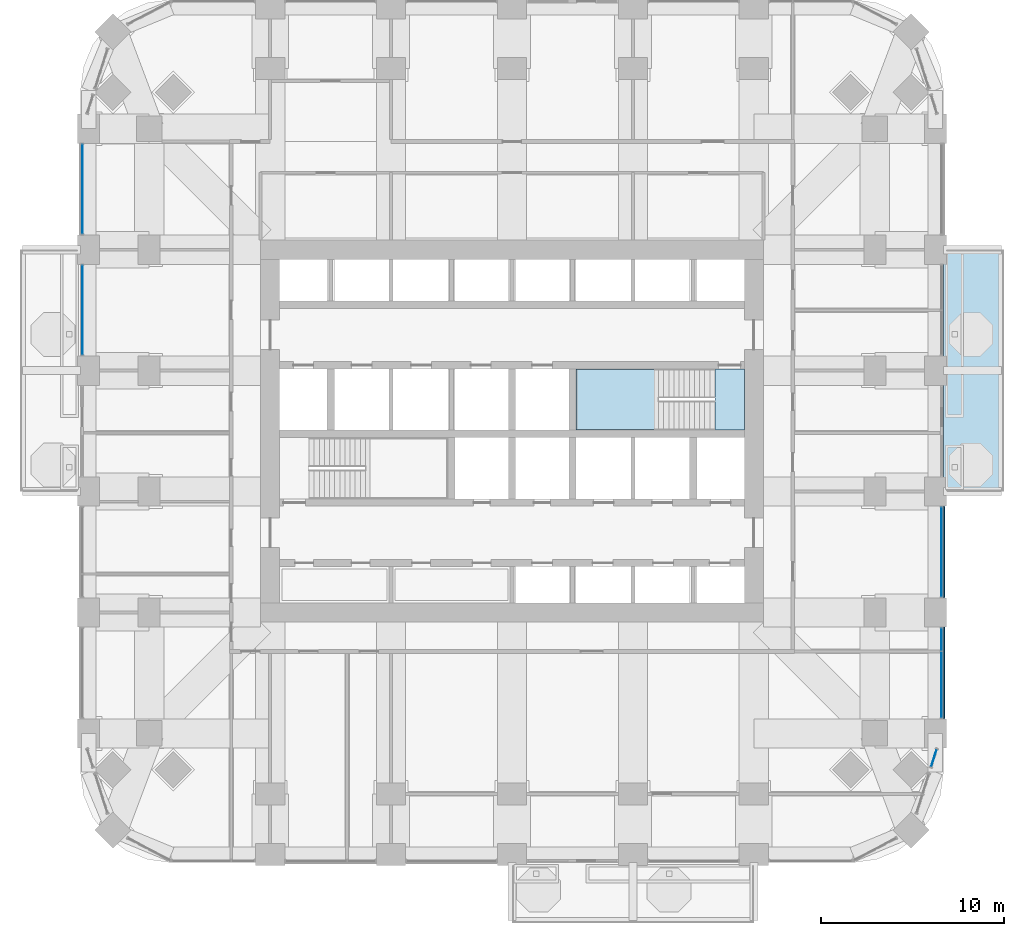
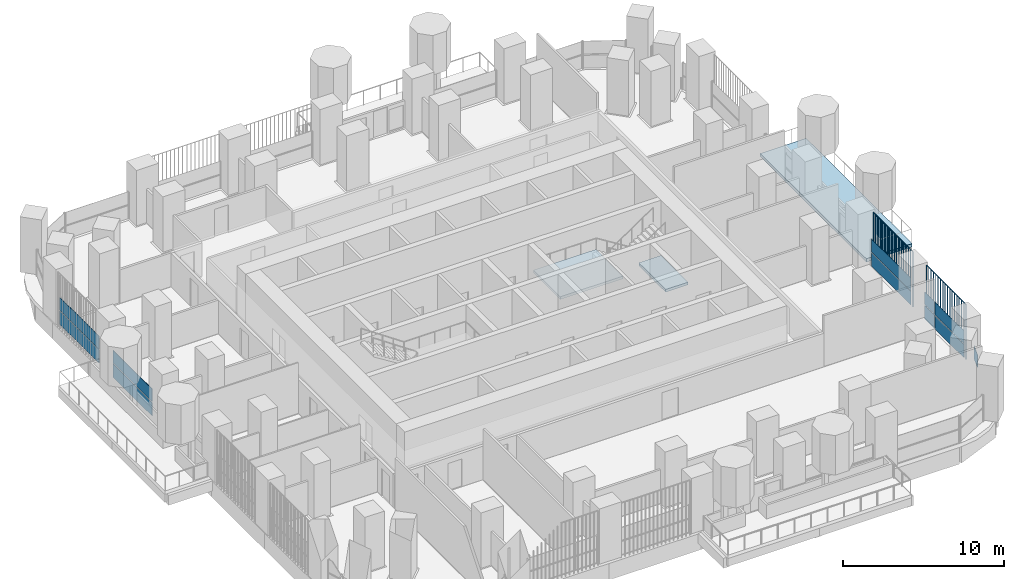
# One storey, part 11 of 22: 13 plates, 3 slabs, 6 elements without a shape of their own.
"""IFC4 building model written with IfcOpenShell, lengths in metres."""

from ifc_helpers import new_model, si_unit, direction, frame, origin, origin_2d, place, context, subcontext, project, spatial, polyline, rectangle, outline, extrude, material, layer, layer_set, type_object, element, aggregate, save


model = new_model("IFC4")

# Units and contexts
model_context = context("Model", 3, precision=1e-05, world=origin(), true_north=direction((0.0, 1.0)))
body_context = subcontext(model_context, "Body", "Model", "MODEL_VIEW")
ifc_project = project(units=[si_unit("LENGTHUNIT", "METRE"), si_unit("AREAUNIT", "SQUARE_METRE"), si_unit("VOLUMEUNIT", "CUBIC_METRE"), si_unit("PLANEANGLEUNIT", "RADIAN"), si_unit("MASSUNIT", "GRAM", prefix="KILO")], contexts=[model_context])

# Site, building, storey
site_placement = place(None, origin())
site = spatial("IfcSite", under=ifc_project, at=site_placement, CompositionType="ELEMENT")
building_placement = place(site_placement, origin())
building = spatial("IfcBuilding", under=site, at=building_placement, Name="Cobogo Forest Laboratory Tower", CompositionType="ELEMENT")
storey_placement = place(building_placement, frame((0.0, 0.0, 145.199951171875)))
storey = spatial("IfcBuildingStorey", under=building, at=storey_placement, Name="L33", CompositionType="ELEMENT", Elevation=145.199951171875)

# Slab
ifc_material_1 = material(Name="Concrete HA-40 (C40/50)", Category="concrete")
ifc_layer_1 = layer(ifc_material_1, 0.25)
ifc_layer_set_1 = layer_set([ifc_layer_1], Name="Balcony slab 250")
slab_type_1 = type_object("IfcSlabType", Name="Balcony slab 250", PredefinedType="FLOOR", material=ifc_layer_set_1)
slab_1_placement = place(storey_placement, frame((0.0, 0.0, -0.25)))
element("IfcSlab", 1, at=slab_1_placement, inside=storey, type_object=slab_type_1, Name="Balcony BAL-E1 L33", PredefinedType="FLOOR", context=body_context, shape_type="SweptSolid", body=[
    extrude(outline(polyline([(49.949951171875, 19.800048828125), (53.25, 19.800048828125), (53.25, 33.0), (49.949951171875, 33.0), (49.949951171875, 19.800048828125)])), origin(), (0.0, 0.0, 1.0), 0.25),
])

# Curtain wall, plate
ifc_material_2 = material(Name="Aluminium curtain wall", Category="aluminium")
curtain_wall_type = type_object("IfcCurtainWallType", Name="CW-1 unitised curtain wall, clear glazing, laboratory floors zones A and B", PredefinedType="USERDEFINED", material=ifc_material_2)
curtain_wall_1_placement = place(storey_placement, origin())
curtain_wall_1 = element("IfcCurtainWall", 2, at=curtain_wall_1_placement, inside=storey, type_object=curtain_wall_type, Name="Curtain wall 09 L33", ObjectType="UNITISED CURTAIN WALL", PredefinedType="USERDEFINED")
ifc_material_3 = material(Name="Clear insulated glass", Category="glass")
ifc_layer_2 = layer(ifc_material_3, 0.028076171875)
ifc_layer_set_2 = layer_set([ifc_layer_2], Name="GP-1 clear insulated glass unit 28")
plate_type_1 = type_object("IfcPlateType", Name="GP-1 clear insulated glass unit 28", PredefinedType="CURTAIN_PANEL", material=ifc_layer_set_2)
plate_1_placement = place(storey_placement, frame((49.426513671875, 5.259033203125, 1.080078125), z_axis=(0.0, 0.0, 1.0), x_axis=(0.3011355018, 0.953581359694, 0.0)))
plate_1 = element("IfcPlate", 3, at=plate_1_placement, type_object=plate_type_1, Name="CW-1 panel 1.2", PredefinedType="CURTAIN_PANEL", context=body_context, shape_type="SweptSolid", body=[
    extrude(rectangle(XDim=1.0146484375, YDim=0.028076171875, at=origin_2d()), origin(), (0.0, 0.0, 1.0), 0.969970703125),
])
aggregate(curtain_wall_1, [plate_1])

# Curtain wall, plates
curtain_wall_2_placement = place(storey_placement, origin())
curtain_wall_2 = element("IfcCurtainWall", 4, at=curtain_wall_2_placement, inside=storey, type_object=curtain_wall_type, Name="Curtain wall 10 L33", ObjectType="UNITISED CURTAIN WALL", PredefinedType="USERDEFINED")
plate_2_placement = place(storey_placement, frame((49.85009765625, 9.25244140625, 0.0), z_axis=(0.0, 0.0, 1.0), x_axis=(0.0, 1.0, 0.0)))
plate_2 = element("IfcPlate", 5, at=plate_2_placement, type_object=plate_type_1, Name="CW-1 panel 1.1", PredefinedType="CURTAIN_PANEL", context=body_context, shape_type="SweptSolid", body=[
    extrude(rectangle(XDim=3.5849609375, YDim=0.028076171875, at=origin_2d()), origin(), (0.0, 0.0, 1.0), 1.02001953125),
])
plate_3_placement = place(storey_placement, frame((49.85009765625, 9.25244140625, 1.080078125), z_axis=(0.0, 0.0, 1.0), x_axis=(0.0, 1.0, 0.0)))
plate_3 = element("IfcPlate", 6, at=plate_3_placement, type_object=plate_type_1, Name="CW-1 panel 1.2", PredefinedType="CURTAIN_PANEL", context=body_context, shape_type="SweptSolid", body=[
    extrude(rectangle(XDim=3.5849609375, YDim=0.028076171875, at=origin_2d()), origin(), (0.0, 0.0, 1.0), 0.969970703125),
])
plate_4_placement = place(storey_placement, frame((49.85009765625, 11.722412109375, 0.0), z_axis=(0.0, 0.0, 1.0), x_axis=(0.0, 1.0, 0.0)))
plate_4 = element("IfcPlate", 7, at=plate_4_placement, type_object=plate_type_1, Name="CW-1 panel 2.1", PredefinedType="CURTAIN_PANEL", context=body_context, shape_type="SweptSolid", body=[
    extrude(rectangle(XDim=1.235107421875, YDim=0.028076171875, at=origin_2d()), origin(), (0.0, 0.0, 1.0), 1.02001953125),
])
plate_5_placement = place(storey_placement, frame((49.85009765625, 11.722412109375, 1.080078125), z_axis=(0.0, 0.0, 1.0), x_axis=(0.0, 1.0, 0.0)))
plate_5 = element("IfcPlate", 8, at=plate_5_placement, type_object=plate_type_1, Name="CW-1 panel 2.2", PredefinedType="CURTAIN_PANEL", context=body_context, shape_type="SweptSolid", body=[
    extrude(rectangle(XDim=1.235107421875, YDim=0.028076171875, at=origin_2d()), origin(), (0.0, 0.0, 1.0), 0.969970703125),
])
aggregate(curtain_wall_2, [plate_2, plate_3, plate_4, plate_5])

curtain_wall_3_placement = place(storey_placement, origin())
curtain_wall_3 = element("IfcCurtainWall", 9, at=curtain_wall_3_placement, inside=storey, type_object=curtain_wall_type, Name="Curtain wall 11 L33", ObjectType="UNITISED CURTAIN WALL", PredefinedType="USERDEFINED")
plate_6_placement = place(storey_placement, frame((49.85009765625, 16.5, 0.0), z_axis=(0.0, 0.0, 1.0), x_axis=(0.0, 1.0, 0.0)))
plate_6 = element("IfcPlate", 10, at=plate_6_placement, type_object=plate_type_1, Name="CW-1 panel 1.1", PredefinedType="CURTAIN_PANEL", context=body_context, shape_type="SweptSolid", body=[
    extrude(rectangle(XDim=4.8798828125, YDim=0.028076171875, at=origin_2d()), origin(), (0.0, 0.0, 1.0), 1.02001953125),
])
plate_7_placement = place(storey_placement, frame((49.85009765625, 16.5, 1.080078125), z_axis=(0.0, 0.0, 1.0), x_axis=(0.0, 1.0, 0.0)))
plate_7 = element("IfcPlate", 11, at=plate_7_placement, type_object=plate_type_1, Name="CW-1 panel 1.2", PredefinedType="CURTAIN_PANEL", context=body_context, shape_type="SweptSolid", body=[
    extrude(rectangle(XDim=4.8798828125, YDim=0.028076171875, at=origin_2d()), origin(), (0.0, 0.0, 1.0), 0.969970703125),
])
aggregate(curtain_wall_3, [plate_6, plate_7])

curtain_wall_4_placement = place(storey_placement, origin())
curtain_wall_4 = element("IfcCurtainWall", 12, at=curtain_wall_4_placement, inside=storey, type_object=curtain_wall_type, Name="Curtain wall 27 L33", ObjectType="UNITISED CURTAIN WALL", PredefinedType="USERDEFINED")
plate_8_placement = place(storey_placement, frame((2.949951171875, 36.300048828125, 0.0), z_axis=(0.0, 0.0, 1.0), x_axis=(0.0, -1.0, 0.0)))
plate_8 = element("IfcPlate", 13, at=plate_8_placement, type_object=plate_type_1, Name="CW-1 panel 1.1", PredefinedType="CURTAIN_PANEL", context=body_context, shape_type="SweptSolid", body=[
    extrude(rectangle(XDim=4.8798828125, YDim=0.028076171875, at=origin_2d()), origin(), (0.0, 0.0, 1.0), 1.02001953125),
])
plate_9_placement = place(storey_placement, frame((2.949951171875, 36.300048828125, 1.080078125), z_axis=(0.0, 0.0, 1.0), x_axis=(0.0, -1.0, 0.0)))
plate_9 = element("IfcPlate", 14, at=plate_9_placement, type_object=plate_type_1, Name="CW-1 panel 1.2", PredefinedType="CURTAIN_PANEL", context=body_context, shape_type="SweptSolid", body=[
    extrude(rectangle(XDim=4.8798828125, YDim=0.028076171875, at=origin_2d()), origin(), (0.0, 0.0, 1.0), 0.969970703125),
])
aggregate(curtain_wall_4, [plate_8, plate_9])

curtain_wall_5_placement = place(storey_placement, origin())
curtain_wall_5 = element("IfcCurtainWall", 15, at=curtain_wall_5_placement, inside=storey, type_object=curtain_wall_type, Name="Curtain wall 28 L33", ObjectType="UNITISED CURTAIN WALL", PredefinedType="USERDEFINED")
plate_10_placement = place(storey_placement, frame((2.949951171875, 29.699951171875, 0.0), z_axis=(0.0, 0.0, 1.0), x_axis=(0.0, -1.0, 0.0)))
plate_10 = element("IfcPlate", 16, at=plate_10_placement, type_object=plate_type_1, Name="CW-1 panel 1.1", PredefinedType="CURTAIN_PANEL", context=body_context, shape_type="SweptSolid", body=[
    extrude(rectangle(XDim=4.8798828125, YDim=0.028076171875, at=origin_2d()), origin(), (0.0, 0.0, 1.0), 1.02001953125),
])
plate_11_placement = place(storey_placement, frame((2.949951171875, 29.699951171875, 1.080078125), z_axis=(0.0, 0.0, 1.0), x_axis=(0.0, -1.0, 0.0)))
plate_11 = element("IfcPlate", 17, at=plate_11_placement, type_object=plate_type_1, Name="CW-1 panel 1.2", PredefinedType="CURTAIN_PANEL", context=body_context, shape_type="SweptSolid", body=[
    extrude(rectangle(XDim=4.8798828125, YDim=0.028076171875, at=origin_2d()), origin(), (0.0, 0.0, 1.0), 0.969970703125),
])
aggregate(curtain_wall_5, [plate_10, plate_11])

# Stair, slabs
ifc_material_4 = material(Name="Precast concrete HA-40 (C40/50)", Category="concrete")
stair_type = type_object("IfcStairType", Name="ST24 exit stair 24 risers", PredefinedType="HALF_TURN_STAIR", material=ifc_material_4)
stair_placement = place(storey_placement, origin())
stair = element("IfcStair", 18, at=stair_placement, inside=storey, type_object=stair_type, Name="Stair 2 L33 to L34", PredefinedType="HALF_TURN_STAIR")
ifc_layer_3 = layer(ifc_material_1, 0.199951171875)
ifc_layer_set_3 = layer_set([ifc_layer_3], Name="SL stair landing 200")
slab_type_2 = type_object("IfcSlabType", Name="SL stair landing 200", PredefinedType="LANDING", material=ifc_layer_set_3)
slab_2_placement = place(storey_placement, frame((0.0, 0.0, -0.199951171875)))
slab_2 = element("IfcSlab", 19, at=slab_2_placement, type_object=slab_type_2, Name="ST2 landing 1", PredefinedType="LANDING", context=body_context, shape_type="SweptSolid", body=[
    extrude(outline(polyline([(37.472900390625, 23.14990234375), (39.074951171875, 23.14990234375), (39.074951171875, 26.5), (37.472900390625, 26.5), (37.472900390625, 23.14990234375)])), origin(), (0.0, 0.0, 1.0), 0.199951171875),
])
slab_3_placement = place(storey_placement, frame((0.0, 0.0, 1.900146484375)))
slab_3 = element("IfcSlab", 20, at=slab_3_placement, type_object=slab_type_2, Name="ST2 landing 2", PredefinedType="LANDING", context=body_context, shape_type="SweptSolid", body=[
    extrude(outline(polyline([(29.89990234375, 23.14990234375), (34.39697265625, 23.14990234375), (34.39697265625, 26.5), (29.89990234375, 26.5), (29.89990234375, 23.14990234375)])), origin(), (0.0, 0.0, 1.0), 0.199951171875),
])
aggregate(stair, [slab_2, slab_3])

# Plates
ifc_material_5 = material(Name="Terracotta", Category="masonry")
plate_type_2 = type_object("IfcPlateType", Name="TB1 terracotta baguette screen", PredefinedType="USERDEFINED", material=ifc_material_5)
plate_12_placement = place(storey_placement, frame((49.977783203125, 7.43115234375, -0.14990234375)))
element("IfcPlate", 21, at=plate_12_placement, inside=storey, type_object=plate_type_2, Name="Baguette screen E1 L33", ObjectType="BAGUETTE SCREEN", PredefinedType="USERDEFINED", context=body_context, shape_type="SweptSolid", body=[
    extrude(outline(polyline([(0.02880859375, 0.011962890625), (0.011962890625, 0.02880859375), (-0.011962890625, 0.02880859375), (-0.02880859375, 0.011962890625), (-0.02880859375, -0.011962890625), (-0.011962890625, -0.02880859375), (0.011962890625, -0.02880859375), (0.02880859375, -0.011962890625), (0.02880859375, 0.011962890625)])), frame((0.0, 0.0, 4.168701171875), z_axis=(0.0, 1.0, 0.0), x_axis=(-1.0, 0.0, 0.0)), (0.0, 0.0, 1.0), 4.9375),
    extrude(outline(polyline([(0.02880859375, 0.011962890625), (0.011962890625, 0.02880859375), (-0.011962890625, 0.02880859375), (-0.02880859375, 0.011962890625), (-0.02880859375, -0.011962890625), (-0.011962890625, -0.02880859375), (0.011962890625, -0.02880859375), (0.02880859375, -0.011962890625), (0.02880859375, 0.011962890625)])), origin(), (0.0, 0.0, 1.0), 4.137451171875),
    extrude(outline(polyline([(0.02880859375, 0.011962890625), (0.011962890625, 0.02880859375), (-0.011962890625, 0.02880859375), (-0.02880859375, 0.011962890625), (-0.02880859375, -0.011962890625), (-0.011962890625, -0.02880859375), (0.011962890625, -0.02880859375), (0.02880859375, -0.011962890625), (0.02880859375, 0.011962890625)])), frame((0.0, 0.29052734375, 0.0)), (0.0, 0.0, 1.0), 4.137451171875),
    extrude(outline(polyline([(0.02880859375, 0.011962890625), (0.011962890625, 0.02880859375), (-0.011962890625, 0.02880859375), (-0.02880859375, 0.011962890625), (-0.02880859375, -0.011962890625), (-0.011962890625, -0.02880859375), (0.011962890625, -0.02880859375), (0.02880859375, -0.011962890625), (0.02880859375, 0.011962890625)])), frame((0.0, 0.580810546875, 0.0)), (0.0, 0.0, 1.0), 4.137451171875),
    extrude(outline(polyline([(0.02880859375, 0.011962890625), (0.011962890625, 0.02880859375), (-0.011962890625, 0.02880859375), (-0.02880859375, 0.011962890625), (-0.02880859375, -0.011962890625), (-0.011962890625, -0.02880859375), (0.011962890625, -0.02880859375), (0.02880859375, -0.011962890625), (0.02880859375, 0.011962890625)])), frame((0.0, 0.871337890625, 0.0)), (0.0, 0.0, 1.0), 4.137451171875),
    extrude(outline(polyline([(0.02880859375, 0.011962890625), (0.011962890625, 0.02880859375), (-0.011962890625, 0.02880859375), (-0.02880859375, 0.011962890625), (-0.02880859375, -0.011962890625), (-0.011962890625, -0.02880859375), (0.011962890625, -0.02880859375), (0.02880859375, -0.011962890625), (0.02880859375, 0.011962890625)])), frame((0.0, 1.161865234375, 0.0)), (0.0, 0.0, 1.0), 4.137451171875),
    extrude(outline(polyline([(0.02880859375, 0.011962890625), (0.011962890625, 0.02880859375), (-0.011962890625, 0.02880859375), (-0.02880859375, 0.011962890625), (-0.02880859375, -0.011962890625), (-0.011962890625, -0.02880859375), (0.011962890625, -0.02880859375), (0.02880859375, -0.011962890625), (0.02880859375, 0.011962890625)])), frame((0.0, 1.4521484375, 0.0)), (0.0, 0.0, 1.0), 4.137451171875),
    extrude(outline(polyline([(0.02880859375, 0.011962890625), (0.011962890625, 0.02880859375), (-0.011962890625, 0.02880859375), (-0.02880859375, 0.011962890625), (-0.02880859375, -0.011962890625), (-0.011962890625, -0.02880859375), (0.011962890625, -0.02880859375), (0.02880859375, -0.011962890625), (0.02880859375, 0.011962890625)])), frame((0.0, 1.74267578125, 0.0)), (0.0, 0.0, 1.0), 4.137451171875),
    extrude(outline(polyline([(0.02880859375, 0.011962890625), (0.011962890625, 0.02880859375), (-0.011962890625, 0.02880859375), (-0.02880859375, 0.011962890625), (-0.02880859375, -0.011962890625), (-0.011962890625, -0.02880859375), (0.011962890625, -0.02880859375), (0.02880859375, -0.011962890625), (0.02880859375, 0.011962890625)])), frame((0.0, 2.033203125, 0.0)), (0.0, 0.0, 1.0), 4.137451171875),
    extrude(outline(polyline([(0.02880859375, 0.011962890625), (0.011962890625, 0.02880859375), (-0.011962890625, 0.02880859375), (-0.02880859375, 0.011962890625), (-0.02880859375, -0.011962890625), (-0.011962890625, -0.02880859375), (0.011962890625, -0.02880859375), (0.02880859375, -0.011962890625), (0.02880859375, 0.011962890625)])), frame((0.0, 2.323486328125, 0.0)), (0.0, 0.0, 1.0), 4.137451171875),
    extrude(outline(polyline([(0.02880859375, 0.011962890625), (0.011962890625, 0.02880859375), (-0.011962890625, 0.02880859375), (-0.02880859375, 0.011962890625), (-0.02880859375, -0.011962890625), (-0.011962890625, -0.02880859375), (0.011962890625, -0.02880859375), (0.02880859375, -0.011962890625), (0.02880859375, 0.011962890625)])), frame((0.0, 2.614013671875, 0.0)), (0.0, 0.0, 1.0), 4.137451171875),
    extrude(outline(polyline([(0.02880859375, 0.011962890625), (0.011962890625, 0.02880859375), (-0.011962890625, 0.02880859375), (-0.02880859375, 0.011962890625), (-0.02880859375, -0.011962890625), (-0.011962890625, -0.02880859375), (0.011962890625, -0.02880859375), (0.02880859375, -0.011962890625), (0.02880859375, 0.011962890625)])), frame((0.0, 2.904296875, 0.0)), (0.0, 0.0, 1.0), 4.137451171875),
    extrude(outline(polyline([(0.02880859375, 0.011962890625), (0.011962890625, 0.02880859375), (-0.011962890625, 0.02880859375), (-0.02880859375, 0.011962890625), (-0.02880859375, -0.011962890625), (-0.011962890625, -0.02880859375), (0.011962890625, -0.02880859375), (0.02880859375, -0.011962890625), (0.02880859375, 0.011962890625)])), frame((0.0, 3.19482421875, 0.0)), (0.0, 0.0, 1.0), 4.137451171875),
    extrude(outline(polyline([(0.02880859375, 0.011962890625), (0.011962890625, 0.02880859375), (-0.011962890625, 0.02880859375), (-0.02880859375, 0.011962890625), (-0.02880859375, -0.011962890625), (-0.011962890625, -0.02880859375), (0.011962890625, -0.02880859375), (0.02880859375, -0.011962890625), (0.02880859375, 0.011962890625)])), frame((0.0, 3.4853515625, 0.0)), (0.0, 0.0, 1.0), 4.137451171875),
    extrude(outline(polyline([(0.02880859375, 0.011962890625), (0.011962890625, 0.02880859375), (-0.011962890625, 0.02880859375), (-0.02880859375, 0.011962890625), (-0.02880859375, -0.011962890625), (-0.011962890625, -0.02880859375), (0.011962890625, -0.02880859375), (0.02880859375, -0.011962890625), (0.02880859375, 0.011962890625)])), frame((0.0, 3.775634765625, 0.0)), (0.0, 0.0, 1.0), 4.137451171875),
    extrude(outline(polyline([(0.02880859375, 0.011962890625), (0.011962890625, 0.02880859375), (-0.011962890625, 0.02880859375), (-0.02880859375, 0.011962890625), (-0.02880859375, -0.011962890625), (-0.011962890625, -0.02880859375), (0.011962890625, -0.02880859375), (0.02880859375, -0.011962890625), (0.02880859375, 0.011962890625)])), frame((0.0, 4.066162109375, 0.0)), (0.0, 0.0, 1.0), 4.137451171875),
    extrude(outline(polyline([(0.02880859375, 0.011962890625), (0.011962890625, 0.02880859375), (-0.011962890625, 0.02880859375), (-0.02880859375, 0.011962890625), (-0.02880859375, -0.011962890625), (-0.011962890625, -0.02880859375), (0.011962890625, -0.02880859375), (0.02880859375, -0.011962890625), (0.02880859375, 0.011962890625)])), frame((0.0, 4.356689453125, 0.0)), (0.0, 0.0, 1.0), 4.137451171875),
    extrude(outline(polyline([(0.02880859375, 0.011962890625), (0.011962890625, 0.02880859375), (-0.011962890625, 0.02880859375), (-0.02880859375, 0.011962890625), (-0.02880859375, -0.011962890625), (-0.011962890625, -0.02880859375), (0.011962890625, -0.02880859375), (0.02880859375, -0.011962890625), (0.02880859375, 0.011962890625)])), frame((0.0, 4.64697265625, 0.0)), (0.0, 0.0, 1.0), 4.137451171875),
    extrude(outline(polyline([(0.02880859375, 0.011962890625), (0.011962890625, 0.02880859375), (-0.011962890625, 0.02880859375), (-0.02880859375, 0.011962890625), (-0.02880859375, -0.011962890625), (-0.011962890625, -0.02880859375), (0.011962890625, -0.02880859375), (0.02880859375, -0.011962890625), (0.02880859375, 0.011962890625)])), frame((0.0, 4.9375, 0.0)), (0.0, 0.0, 1.0), 4.137451171875),
])
plate_13_placement = place(storey_placement, frame((49.977783203125, 14.03125, -0.14990234375)))
element("IfcPlate", 22, at=plate_13_placement, inside=storey, type_object=plate_type_2, Name="Baguette screen E2 L33", ObjectType="BAGUETTE SCREEN", PredefinedType="USERDEFINED", context=body_context, shape_type="SweptSolid", body=[
    extrude(outline(polyline([(0.02880859375, 0.011962890625), (0.011962890625, 0.02880859375), (-0.011962890625, 0.02880859375), (-0.02880859375, 0.011962890625), (-0.02880859375, -0.011962890625), (-0.011962890625, -0.02880859375), (0.011962890625, -0.02880859375), (0.02880859375, -0.011962890625), (0.02880859375, 0.011962890625)])), frame((0.0, 0.0, 4.168701171875), z_axis=(0.0, 1.0, 0.0), x_axis=(-1.0, 0.0, 0.0)), (0.0, 0.0, 1.0), 4.9375),
    extrude(outline(polyline([(0.02880859375, 0.011962890625), (0.011962890625, 0.02880859375), (-0.011962890625, 0.02880859375), (-0.02880859375, 0.011962890625), (-0.02880859375, -0.011962890625), (-0.011962890625, -0.02880859375), (0.011962890625, -0.02880859375), (0.02880859375, -0.011962890625), (0.02880859375, 0.011962890625)])), origin(), (0.0, 0.0, 1.0), 4.137451171875),
    extrude(outline(polyline([(0.02880859375, 0.011962890625), (0.011962890625, 0.02880859375), (-0.011962890625, 0.02880859375), (-0.02880859375, 0.011962890625), (-0.02880859375, -0.011962890625), (-0.011962890625, -0.02880859375), (0.011962890625, -0.02880859375), (0.02880859375, -0.011962890625), (0.02880859375, 0.011962890625)])), frame((0.0, 0.29052734375, 0.0)), (0.0, 0.0, 1.0), 4.137451171875),
    extrude(outline(polyline([(0.02880859375, 0.011962890625), (0.011962890625, 0.02880859375), (-0.011962890625, 0.02880859375), (-0.02880859375, 0.011962890625), (-0.02880859375, -0.011962890625), (-0.011962890625, -0.02880859375), (0.011962890625, -0.02880859375), (0.02880859375, -0.011962890625), (0.02880859375, 0.011962890625)])), frame((0.0, 0.580810546875, 0.0)), (0.0, 0.0, 1.0), 4.137451171875),
    extrude(outline(polyline([(0.02880859375, 0.011962890625), (0.011962890625, 0.02880859375), (-0.011962890625, 0.02880859375), (-0.02880859375, 0.011962890625), (-0.02880859375, -0.011962890625), (-0.011962890625, -0.02880859375), (0.011962890625, -0.02880859375), (0.02880859375, -0.011962890625), (0.02880859375, 0.011962890625)])), frame((0.0, 0.871337890625, 0.0)), (0.0, 0.0, 1.0), 4.137451171875),
    extrude(outline(polyline([(0.02880859375, 0.011962890625), (0.011962890625, 0.02880859375), (-0.011962890625, 0.02880859375), (-0.02880859375, 0.011962890625), (-0.02880859375, -0.011962890625), (-0.011962890625, -0.02880859375), (0.011962890625, -0.02880859375), (0.02880859375, -0.011962890625), (0.02880859375, 0.011962890625)])), frame((0.0, 1.161865234375, 0.0)), (0.0, 0.0, 1.0), 4.137451171875),
    extrude(outline(polyline([(0.02880859375, 0.011962890625), (0.011962890625, 0.02880859375), (-0.011962890625, 0.02880859375), (-0.02880859375, 0.011962890625), (-0.02880859375, -0.011962890625), (-0.011962890625, -0.02880859375), (0.011962890625, -0.02880859375), (0.02880859375, -0.011962890625), (0.02880859375, 0.011962890625)])), frame((0.0, 1.4521484375, 0.0)), (0.0, 0.0, 1.0), 4.137451171875),
    extrude(outline(polyline([(0.02880859375, 0.011962890625), (0.011962890625, 0.02880859375), (-0.011962890625, 0.02880859375), (-0.02880859375, 0.011962890625), (-0.02880859375, -0.011962890625), (-0.011962890625, -0.02880859375), (0.011962890625, -0.02880859375), (0.02880859375, -0.011962890625), (0.02880859375, 0.011962890625)])), frame((0.0, 1.74267578125, 0.0)), (0.0, 0.0, 1.0), 4.137451171875),
    extrude(outline(polyline([(0.02880859375, 0.011962890625), (0.011962890625, 0.02880859375), (-0.011962890625, 0.02880859375), (-0.02880859375, 0.011962890625), (-0.02880859375, -0.011962890625), (-0.011962890625, -0.02880859375), (0.011962890625, -0.02880859375), (0.02880859375, -0.011962890625), (0.02880859375, 0.011962890625)])), frame((0.0, 2.033203125, 0.0)), (0.0, 0.0, 1.0), 4.137451171875),
    extrude(outline(polyline([(0.02880859375, 0.011962890625), (0.011962890625, 0.02880859375), (-0.011962890625, 0.02880859375), (-0.02880859375, 0.011962890625), (-0.02880859375, -0.011962890625), (-0.011962890625, -0.02880859375), (0.011962890625, -0.02880859375), (0.02880859375, -0.011962890625), (0.02880859375, 0.011962890625)])), frame((0.0, 2.323486328125, 0.0)), (0.0, 0.0, 1.0), 4.137451171875),
    extrude(outline(polyline([(0.02880859375, 0.011962890625), (0.011962890625, 0.02880859375), (-0.011962890625, 0.02880859375), (-0.02880859375, 0.011962890625), (-0.02880859375, -0.011962890625), (-0.011962890625, -0.02880859375), (0.011962890625, -0.02880859375), (0.02880859375, -0.011962890625), (0.02880859375, 0.011962890625)])), frame((0.0, 2.614013671875, 0.0)), (0.0, 0.0, 1.0), 4.137451171875),
    extrude(outline(polyline([(0.02880859375, 0.011962890625), (0.011962890625, 0.02880859375), (-0.011962890625, 0.02880859375), (-0.02880859375, 0.011962890625), (-0.02880859375, -0.011962890625), (-0.011962890625, -0.02880859375), (0.011962890625, -0.02880859375), (0.02880859375, -0.011962890625), (0.02880859375, 0.011962890625)])), frame((0.0, 2.904296875, 0.0)), (0.0, 0.0, 1.0), 4.137451171875),
    extrude(outline(polyline([(0.02880859375, 0.011962890625), (0.011962890625, 0.02880859375), (-0.011962890625, 0.02880859375), (-0.02880859375, 0.011962890625), (-0.02880859375, -0.011962890625), (-0.011962890625, -0.02880859375), (0.011962890625, -0.02880859375), (0.02880859375, -0.011962890625), (0.02880859375, 0.011962890625)])), frame((0.0, 3.19482421875, 0.0)), (0.0, 0.0, 1.0), 4.137451171875),
    extrude(outline(polyline([(0.02880859375, 0.011962890625), (0.011962890625, 0.02880859375), (-0.011962890625, 0.02880859375), (-0.02880859375, 0.011962890625), (-0.02880859375, -0.011962890625), (-0.011962890625, -0.02880859375), (0.011962890625, -0.02880859375), (0.02880859375, -0.011962890625), (0.02880859375, 0.011962890625)])), frame((0.0, 3.4853515625, 0.0)), (0.0, 0.0, 1.0), 4.137451171875),
    extrude(outline(polyline([(0.02880859375, 0.011962890625), (0.011962890625, 0.02880859375), (-0.011962890625, 0.02880859375), (-0.02880859375, 0.011962890625), (-0.02880859375, -0.011962890625), (-0.011962890625, -0.02880859375), (0.011962890625, -0.02880859375), (0.02880859375, -0.011962890625), (0.02880859375, 0.011962890625)])), frame((0.0, 3.775634765625, 0.0)), (0.0, 0.0, 1.0), 4.137451171875),
    extrude(outline(polyline([(0.02880859375, 0.011962890625), (0.011962890625, 0.02880859375), (-0.011962890625, 0.02880859375), (-0.02880859375, 0.011962890625), (-0.02880859375, -0.011962890625), (-0.011962890625, -0.02880859375), (0.011962890625, -0.02880859375), (0.02880859375, -0.011962890625), (0.02880859375, 0.011962890625)])), frame((0.0, 4.066162109375, 0.0)), (0.0, 0.0, 1.0), 4.137451171875),
    extrude(outline(polyline([(0.02880859375, 0.011962890625), (0.011962890625, 0.02880859375), (-0.011962890625, 0.02880859375), (-0.02880859375, 0.011962890625), (-0.02880859375, -0.011962890625), (-0.011962890625, -0.02880859375), (0.011962890625, -0.02880859375), (0.02880859375, -0.011962890625), (0.02880859375, 0.011962890625)])), frame((0.0, 4.356689453125, 0.0)), (0.0, 0.0, 1.0), 4.137451171875),
    extrude(outline(polyline([(0.02880859375, 0.011962890625), (0.011962890625, 0.02880859375), (-0.011962890625, 0.02880859375), (-0.02880859375, 0.011962890625), (-0.02880859375, -0.011962890625), (-0.011962890625, -0.02880859375), (0.011962890625, -0.02880859375), (0.02880859375, -0.011962890625), (0.02880859375, 0.011962890625)])), frame((0.0, 4.64697265625, 0.0)), (0.0, 0.0, 1.0), 4.137451171875),
    extrude(outline(polyline([(0.02880859375, 0.011962890625), (0.011962890625, 0.02880859375), (-0.011962890625, 0.02880859375), (-0.02880859375, 0.011962890625), (-0.02880859375, -0.011962890625), (-0.011962890625, -0.02880859375), (0.011962890625, -0.02880859375), (0.02880859375, -0.011962890625), (0.02880859375, 0.011962890625)])), frame((0.0, 4.9375, 0.0)), (0.0, 0.0, 1.0), 4.137451171875),
])

save(model, "model.ifc")
